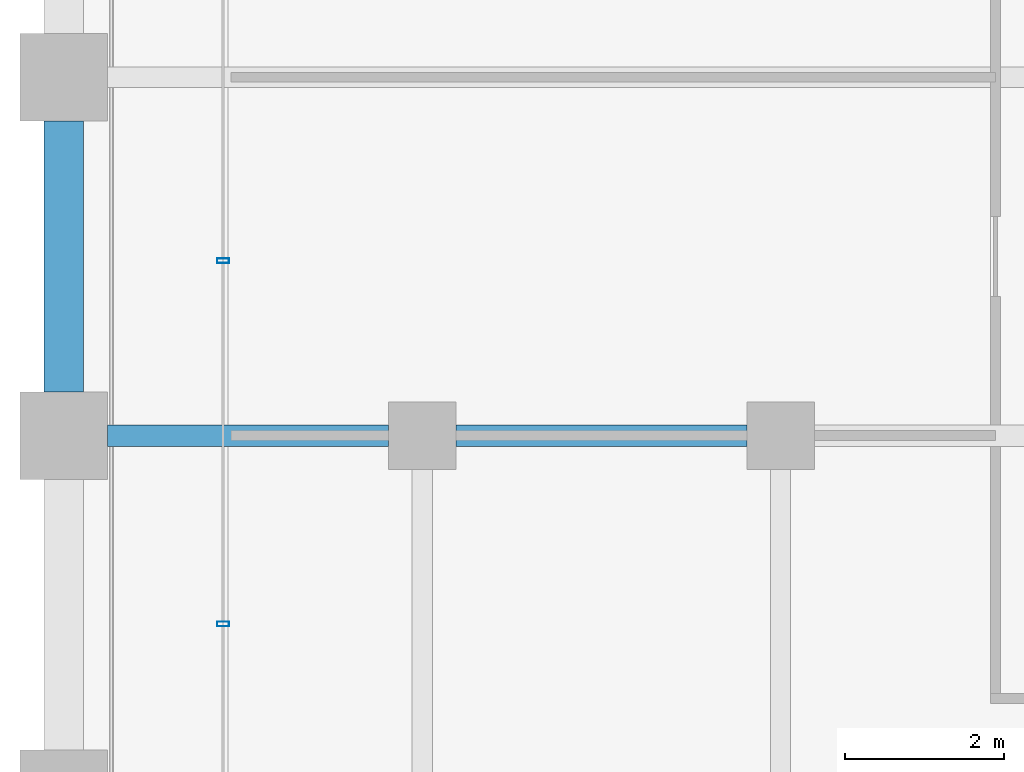
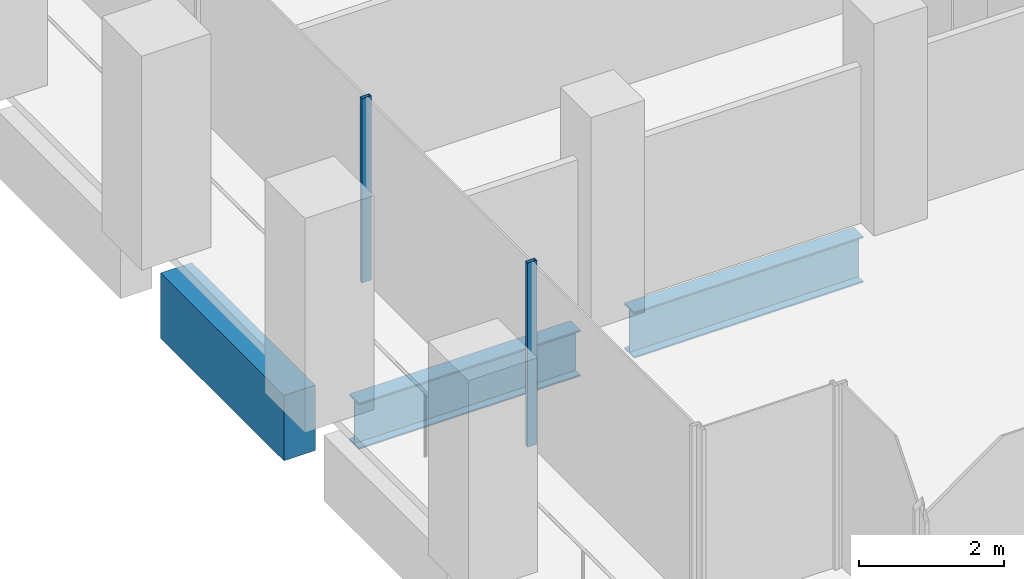
# One storey, part 5 of 56: 3 beams, 2 members, 1 element without a shape of its own.
"""IFC4 building model written with IfcOpenShell, lengths in metres."""

from ifc_helpers import new_model, si_unit, direction, frame, origin, origin_2d, place, context, subcontext, project, spatial, rectangle, hollow_rectangle, i_section, extrude, material, material_profile, profile_set, type_object, element, aggregate, save


model = new_model("IFC4")

# Units and contexts
model_context = context("Model", 3, precision=1e-05, world=origin(), true_north=direction((0.0, 1.0)))
body_context = subcontext(model_context, "Body", "Model", "MODEL_VIEW")
ifc_project = project(units=[si_unit("LENGTHUNIT", "METRE"), si_unit("AREAUNIT", "SQUARE_METRE"), si_unit("VOLUMEUNIT", "CUBIC_METRE"), si_unit("PLANEANGLEUNIT", "RADIAN"), si_unit("MASSUNIT", "GRAM", prefix="KILO")], contexts=[model_context])

# Site, building, storey
site_placement = place(None, origin())
site = spatial("IfcSite", under=ifc_project, at=site_placement, CompositionType="ELEMENT")
building_placement = place(site_placement, origin())
building = spatial("IfcBuilding", under=site, at=building_placement, Name="Altepetl Exchange Towers", CompositionType="ELEMENT")
storey_placement = place(building_placement, frame((0.0, 0.0, 79.800048828125)))
storey = spatial("IfcBuildingStorey", under=building, at=storey_placement, Name="L19", CompositionType="ELEMENT", Elevation=79.800048828125)

# Beams
ifc_material_1 = material(Name="Steel S355", Category="steel")
ifc_material_profile_1 = material_profile(ifc_material_1, i_section(OverallWidth=0.26806640625, OverallDepth=0.77392578125, WebThickness=0.015380859375, FlangeThickness=0.025390625, at=origin_2d()), Name="W30X132")
ifc_profile_set_1 = profile_set([ifc_material_profile_1], Name="Steel S355")
beam_type_1 = type_object("IfcBeamType", Name="Girder W30X132", PredefinedType="BEAM", material=ifc_profile_set_1)
beam_1_placement = place(storey_placement, frame((35.574951171875, 40.5, -0.537109375), z_axis=(-1.0, 0.0, 0.0), x_axis=(0.0, -1.0, 0.0)))
element("IfcBeam", 1, at=beam_1_placement, inside=storey, type_object=beam_type_1, Name="gd:A:L19:010", PredefinedType="BEAM", context=body_context, shape_type="SweptSolid", body=[
    extrude(i_section(OverallWidth=0.26806640625, OverallDepth=0.77392578125, WebThickness=0.015380859375, FlangeThickness=0.025390625, at=origin_2d()), origin(), (0.0, 0.0, 1.0), 3.64990234375),
])
beam_2_placement = place(storey_placement, frame((31.074951171875, 40.5, -0.537109375), z_axis=(-1.0, 0.0, 0.0), x_axis=(0.0, -1.0, 0.0)))
element("IfcBeam", 2, at=beam_2_placement, inside=storey, type_object=beam_type_1, Name="gd:A:L19:011", PredefinedType="BEAM", context=body_context, shape_type="SweptSolid", body=[
    extrude(i_section(OverallWidth=0.26806640625, OverallDepth=0.77392578125, WebThickness=0.015380859375, FlangeThickness=0.025390625, at=origin_2d()), origin(), (0.0, 0.0, 1.0), 3.52490234375),
])

# Curtain wall, members
ifc_material_2 = material(Name="Aluminium 6063-T6 glazing", Category="aluminium")
curtain_wall_type = type_object("IfcCurtainWallType", Name="Loggia glazing system", PredefinedType="NOTDEFINED", material=ifc_material_2)
curtain_wall_placement = place(storey_placement, origin())
curtain_wall = element("IfcCurtainWall", 3, at=curtain_wall_placement, inside=storey, type_object=curtain_wall_type, Name="CW1 run", PredefinedType="NOTDEFINED")
ifc_material_3 = material(Name="Aluminium 6063-T6", Category="aluminium")
ifc_material_profile_2 = material_profile(ifc_material_3, hollow_rectangle(XDim=0.06005859375, YDim=0.14990234375, WallThickness=0.0029296875, at=origin_2d()), Name="Mullion 60x150 aluminium")
ifc_profile_set_2 = profile_set([ifc_material_profile_2], Name="Aluminium 6063-T6")
member_type = type_object("IfcMemberType", Name="Mullion 60x150 aluminium", PredefinedType="MULLION", material=ifc_profile_set_2)
member_1_placement = place(storey_placement, frame((29.0, 42.696533203125, 0.0), z_axis=(0.0, 0.0, 1.0), x_axis=(0.0, -1.0, 0.0)))
member_1 = element("IfcMember", 4, at=member_1_placement, type_object=member_type, Name="MU1 mullion", PredefinedType="MULLION", context=body_context, shape_type="SweptSolid", body=[
    extrude(hollow_rectangle(XDim=0.06005859375, YDim=0.14990234375, WallThickness=0.0029296875, at=origin_2d()), origin(), (0.0, 0.0, 1.0), 3.099853515625),
])
member_2_placement = place(storey_placement, frame((29.0, 38.1357421875, 0.0), z_axis=(0.0, 0.0, 1.0), x_axis=(0.0, -1.0, 0.0)))
member_2 = element("IfcMember", 5, at=member_2_placement, type_object=member_type, Name="MU1 mullion", PredefinedType="MULLION", context=body_context, shape_type="SweptSolid", body=[
    extrude(hollow_rectangle(XDim=0.06005859375, YDim=0.14990234375, WallThickness=0.0029296875, at=origin_2d()), origin(), (0.0, 0.0, 1.0), 3.099853515625),
])
aggregate(curtain_wall, [member_1, member_2])

# Beam
ifc_material_4 = material(Name="Concrete C50/60 precast with tezontle facing", Category="concrete")
ifc_material_profile_3 = material_profile(ifc_material_4, rectangle(XDim=0.5, YDim=1.10009765625, at=origin_2d()), Name="500 x 1100")
ifc_profile_set_3 = profile_set([ifc_material_profile_3], Name="Concrete C50/60 precast with tezontle facing")
beam_type_2 = type_object("IfcBeamType", Name="Spandrel beam 500x1100 tezontle", PredefinedType="SPANDREL", material=ifc_profile_set_3)
beam_3_placement = place(storey_placement, frame((27.0, 44.449951171875, -0.699951171875), z_axis=(0.0, -1.0, 0.0), x_axis=(1.0, 0.0, 0.0)))
element("IfcBeam", 6, at=beam_3_placement, inside=storey, type_object=beam_type_2, Name="sp:A:L19:041", PredefinedType="SPANDREL", context=body_context, shape_type="SweptSolid", body=[
    extrude(rectangle(XDim=0.5, YDim=1.10009765625, at=origin_2d()), origin(), (0.0, 0.0, 1.0), 3.39990234375),
])

save(model, "model.ifc")
